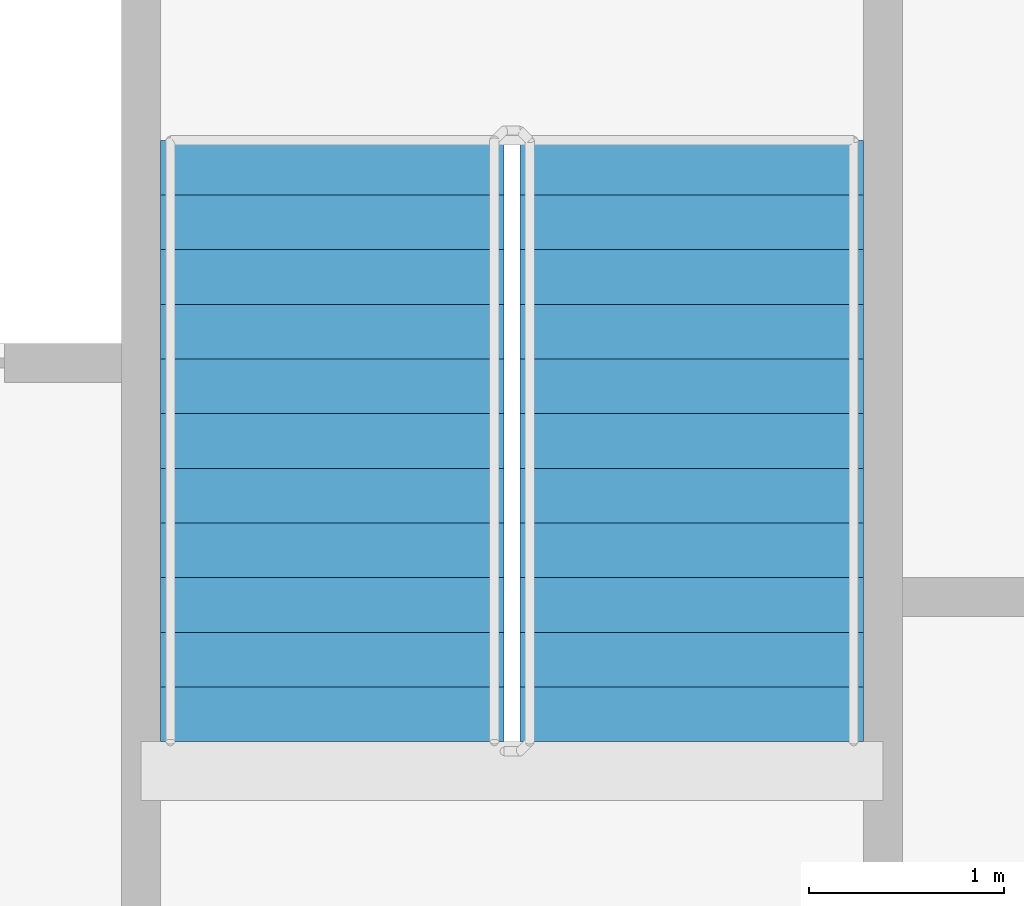
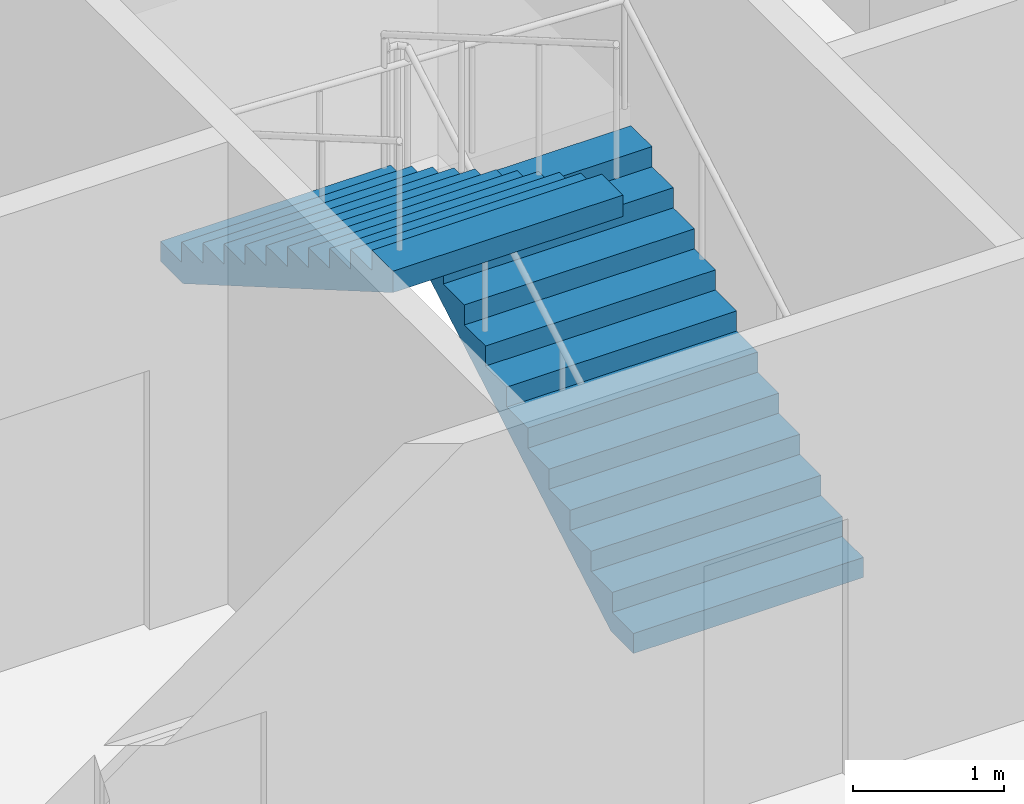
# One storey, part 19 of 24: 2 stair flights, 1 element without a shape of its own.
"""IFC4 building model written with IfcOpenShell, lengths in metres."""

from ifc_helpers import new_model, si_unit, direction, frame, origin, place, context, subcontext, project, spatial, faceted_brep, material, type_object, element, aggregate, save


model = new_model("IFC4")

# Units and contexts
model_context = context("Model", 3, precision=1e-05, world=origin(), true_north=direction((0.0, 1.0)))
body_context = subcontext(model_context, "Body", "Model", "MODEL_VIEW")
ifc_project = project(units=[si_unit("LENGTHUNIT", "METRE"), si_unit("AREAUNIT", "SQUARE_METRE"), si_unit("VOLUMEUNIT", "CUBIC_METRE"), si_unit("PLANEANGLEUNIT", "RADIAN"), si_unit("MASSUNIT", "GRAM", prefix="KILO")], contexts=[model_context])

# Site, building, storey
site_placement = place(None, origin())
site = spatial("IfcSite", under=ifc_project, at=site_placement, CompositionType="ELEMENT")
building_placement = place(site_placement, origin())
building = spatial("IfcBuilding", under=site, at=building_placement, Name="Tarsis Ring Headquarters", CompositionType="ELEMENT")
storey_placement = place(building_placement, frame((0.0, 0.0, 216.0)))
storey = spatial("IfcBuildingStorey", under=building, at=storey_placement, Name="L50", CompositionType="ELEMENT", Elevation=216.0)

# Stair, stair flights
ifc_material_1 = material(Name="Core stair 1760")
stair_type = type_object("IfcStairType", Name="Core stair 1760", PredefinedType="HALF_TURN_STAIR", material=ifc_material_1)
stair_placement = place(storey_placement, origin())
stair = element("IfcStair", 1, at=stair_placement, inside=storey, type_object=stair_type, Name="L50 Exit stair B", PredefinedType="HALF_TURN_STAIR")
ifc_material_2 = material(Name="Concrete C40/50", Category="concrete")
stair_flight_type = type_object("IfcStairFlightType", Name="Core stair flight 1760", PredefinedType="STRAIGHT", material=ifc_material_2)
stair_flight_1_placement = place(storey_placement, frame((5.419921875, 3.659912109375, 0.0), z_axis=(0.0, 0.0, 1.0), x_axis=(0.0, 1.0, 0.0)))
stair_flight_1 = element("IfcStairFlight", 2, at=stair_flight_1_placement, type_object=stair_flight_type, Name="Stair ST2 flight 1", NumberOfRisers=12, NumberOfTreads=11, PredefinedType="STRAIGHT", RiserHeight=0.1625, TreadLength=0.28, context=body_context, shape_type="Brep", body=[
    faceted_brep([(0.0, 0.8798828125, 0.0), (0.0, 0.8798828125, 0.16259765625), (0.280029296875, 0.8798828125, 0.16259765625), (0.280029296875, 0.8798828125, 0.324951171875), (0.56005859375, 0.8798828125, 0.324951171875), (0.56005859375, 0.8798828125, 0.487548828125), (0.840087890625, 0.8798828125, 0.487548828125), (0.840087890625, 0.8798828125, 0.64990234375), (1.1201171875, 0.8798828125, 0.64990234375), (1.1201171875, 0.8798828125, 0.8125), (1.39990234375, 0.8798828125, 0.8125), (1.39990234375, 0.8798828125, 0.97509765625), (1.679931640625, 0.8798828125, 0.97509765625), (1.679931640625, 0.8798828125, 1.137451171875), (1.9599609375, 0.8798828125, 1.137451171875), (1.9599609375, 0.8798828125, 1.300048828125), (2.239990234375, 0.8798828125, 1.300048828125), (2.239990234375, 0.8798828125, 1.46240234375), (2.52001953125, 0.8798828125, 1.46240234375), (2.52001953125, 0.8798828125, 1.625), (2.800048828125, 0.8798828125, 1.625), (2.800048828125, 0.8798828125, 1.78759765625), (3.080078125, 0.8798828125, 1.78759765625), (3.080078125, 0.8798828125, 1.6142578125), (0.298583984375, 0.8798828125, 0.0), (0.298583984375, -0.8798828125, 0.0), (3.080078125, -0.8798828125, 1.6142578125), (3.080078125, -0.8798828125, 1.78759765625), (2.800048828125, -0.8798828125, 1.78759765625), (2.800048828125, -0.8798828125, 1.625), (2.52001953125, -0.8798828125, 1.625), (2.52001953125, -0.8798828125, 1.46240234375), (2.239990234375, -0.8798828125, 1.46240234375), (2.239990234375, -0.8798828125, 1.300048828125), (1.9599609375, -0.8798828125, 1.300048828125), (1.9599609375, -0.8798828125, 1.137451171875), (1.679931640625, -0.8798828125, 1.137451171875), (1.679931640625, -0.8798828125, 0.97509765625), (1.39990234375, -0.8798828125, 0.97509765625), (1.39990234375, -0.8798828125, 0.8125), (1.1201171875, -0.8798828125, 0.8125), (1.1201171875, -0.8798828125, 0.64990234375), (0.840087890625, -0.8798828125, 0.64990234375), (0.840087890625, -0.8798828125, 0.487548828125), (0.56005859375, -0.8798828125, 0.487548828125), (0.56005859375, -0.8798828125, 0.324951171875), (0.280029296875, -0.8798828125, 0.324951171875), (0.280029296875, -0.8798828125, 0.16259765625), (0.0, -0.8798828125, 0.16259765625), (0.0, -0.8798828125, 0.0), (0.0, -0.43994140625, 0.16259765625), (0.0, -0.43994140625, 0.0), (0.0, 0.0, 0.16259765625), (0.0, 0.0, 0.0), (0.0, 0.43994140625, 0.16259765625), (0.0, 0.43994140625, 0.0), (0.280029296875, -0.43994140625, 0.16259765625), (0.280029296875, 0.0, 0.16259765625), (0.280029296875, 0.43994140625, 0.16259765625), (0.280029296875, -0.43994140625, 0.324951171875), (0.280029296875, 0.0, 0.324951171875), (0.280029296875, 0.43994140625, 0.324951171875), (0.56005859375, -0.43994140625, 0.324951171875), (0.56005859375, 0.0, 0.324951171875), (0.56005859375, 0.43994140625, 0.324951171875), (0.56005859375, -0.43994140625, 0.487548828125), (0.56005859375, 0.0, 0.487548828125), (0.56005859375, 0.43994140625, 0.487548828125), (0.840087890625, -0.43994140625, 0.487548828125), (0.840087890625, 0.0, 0.487548828125), (0.840087890625, 0.43994140625, 0.487548828125), (0.840087890625, -0.43994140625, 0.64990234375), (0.840087890625, 0.0, 0.64990234375), (0.840087890625, 0.43994140625, 0.64990234375), (1.1201171875, -0.43994140625, 0.64990234375), (1.1201171875, 0.0, 0.64990234375), (1.1201171875, 0.43994140625, 0.64990234375), (1.1201171875, -0.43994140625, 0.8125), (1.1201171875, 0.0, 0.8125), (1.1201171875, 0.43994140625, 0.8125), (1.39990234375, -0.43994140625, 0.8125), (1.39990234375, 0.0, 0.8125), (1.39990234375, 0.43994140625, 0.8125), (1.39990234375, -0.43994140625, 0.97509765625), (1.39990234375, 0.0, 0.97509765625), (1.39990234375, 0.43994140625, 0.97509765625), (1.679931640625, -0.43994140625, 0.97509765625), (1.679931640625, 0.0, 0.97509765625), (1.679931640625, 0.43994140625, 0.97509765625), (1.679931640625, -0.43994140625, 1.137451171875), (1.679931640625, 0.0, 1.137451171875), (1.679931640625, 0.43994140625, 1.137451171875), (1.9599609375, -0.43994140625, 1.137451171875), (1.9599609375, 0.0, 1.137451171875), (1.9599609375, 0.43994140625, 1.137451171875), (1.9599609375, -0.43994140625, 1.300048828125), (1.9599609375, 0.0, 1.300048828125), (1.9599609375, 0.43994140625, 1.300048828125), (2.239990234375, -0.43994140625, 1.300048828125), (2.239990234375, 0.0, 1.300048828125), (2.239990234375, 0.43994140625, 1.300048828125), (2.239990234375, -0.43994140625, 1.46240234375), (2.239990234375, 0.0, 1.46240234375), (2.239990234375, 0.43994140625, 1.46240234375), (2.52001953125, -0.43994140625, 1.46240234375), (2.52001953125, 0.0, 1.46240234375), (2.52001953125, 0.43994140625, 1.46240234375), (2.52001953125, -0.43994140625, 1.625), (2.52001953125, 0.0, 1.625), (2.52001953125, 0.43994140625, 1.625), (2.800048828125, -0.43994140625, 1.625), (2.800048828125, 0.0, 1.625), (2.800048828125, 0.43994140625, 1.625), (2.800048828125, -0.43994140625, 1.78759765625), (2.800048828125, 0.0, 1.78759765625), (2.800048828125, 0.43994140625, 1.78759765625), (3.080078125, -0.43994140625, 1.78759765625), (3.080078125, 0.0, 1.78759765625), (3.080078125, 0.43994140625, 1.78759765625), (3.080078125, -0.43994140625, 1.6142578125), (3.080078125, 0.0, 1.6142578125), (3.080078125, 0.43994140625, 1.6142578125), (0.298583984375, -0.43994140625, 0.0), (0.298583984375, 0.0, 0.0), (0.298583984375, 0.43994140625, 0.0)], [[[0, 1, 2, 3, 4, 5, 6, 7, 8, 9, 10, 11, 12, 13, 14, 15, 16, 17, 18, 19, 20, 21, 22, 23, 24]], [[25, 26, 27, 28, 29, 30, 31, 32, 33, 34, 35, 36, 37, 38, 39, 40, 41, 42, 43, 44, 45, 46, 47, 48, 49]], [[49, 48, 50, 51]], [[51, 50, 52, 53]], [[53, 52, 54, 55]], [[55, 54, 1, 0]], [[48, 47, 56, 50]], [[50, 56, 57, 52]], [[52, 57, 58, 54]], [[54, 58, 2, 1]], [[47, 46, 59, 56]], [[56, 59, 60, 57]], [[57, 60, 61, 58]], [[58, 61, 3, 2]], [[46, 45, 62, 59]], [[59, 62, 63, 60]], [[60, 63, 64, 61]], [[61, 64, 4, 3]], [[45, 44, 65, 62]], [[62, 65, 66, 63]], [[63, 66, 67, 64]], [[64, 67, 5, 4]], [[44, 43, 68, 65]], [[65, 68, 69, 66]], [[66, 69, 70, 67]], [[67, 70, 6, 5]], [[43, 42, 71, 68]], [[68, 71, 72, 69]], [[69, 72, 73, 70]], [[70, 73, 7, 6]], [[42, 41, 74, 71]], [[71, 74, 75, 72]], [[72, 75, 76, 73]], [[73, 76, 8, 7]], [[41, 40, 77, 74]], [[74, 77, 78, 75]], [[75, 78, 79, 76]], [[76, 79, 9, 8]], [[40, 39, 80, 77]], [[77, 80, 81, 78]], [[78, 81, 82, 79]], [[79, 82, 10, 9]], [[39, 38, 83, 80]], [[80, 83, 84, 81]], [[81, 84, 85, 82]], [[82, 85, 11, 10]], [[38, 37, 86, 83]], [[83, 86, 87, 84]], [[84, 87, 88, 85]], [[85, 88, 12, 11]], [[37, 36, 89, 86]], [[86, 89, 90, 87]], [[87, 90, 91, 88]], [[88, 91, 13, 12]], [[36, 35, 92, 89]], [[89, 92, 93, 90]], [[90, 93, 94, 91]], [[91, 94, 14, 13]], [[35, 34, 95, 92]], [[92, 95, 96, 93]], [[93, 96, 97, 94]], [[94, 97, 15, 14]], [[34, 33, 98, 95]], [[95, 98, 99, 96]], [[96, 99, 100, 97]], [[97, 100, 16, 15]], [[33, 32, 101, 98]], [[98, 101, 102, 99]], [[99, 102, 103, 100]], [[100, 103, 17, 16]], [[32, 31, 104, 101]], [[101, 104, 105, 102]], [[102, 105, 106, 103]], [[103, 106, 18, 17]], [[31, 30, 107, 104]], [[104, 107, 108, 105]], [[105, 108, 109, 106]], [[106, 109, 19, 18]], [[30, 29, 110, 107]], [[107, 110, 111, 108]], [[108, 111, 112, 109]], [[109, 112, 20, 19]], [[29, 28, 113, 110]], [[110, 113, 114, 111]], [[111, 114, 115, 112]], [[112, 115, 21, 20]], [[28, 27, 116, 113]], [[113, 116, 117, 114]], [[114, 117, 118, 115]], [[115, 118, 22, 21]], [[27, 26, 119, 116]], [[116, 119, 120, 117]], [[117, 120, 121, 118]], [[118, 121, 23, 22]], [[26, 25, 122, 119]], [[119, 122, 123, 120]], [[120, 123, 124, 121]], [[121, 124, 24, 23]], [[25, 49, 51, 122]], [[122, 51, 53, 123]], [[123, 53, 55, 124]], [[124, 55, 0, 24]]]),
])
stair_flight_2_placement = place(storey_placement, frame((3.580078125, 6.739990234375, 1.949951171875), z_axis=(0.0, 0.0, 1.0), x_axis=(0.0, -1.0, 0.0)))
stair_flight_2 = element("IfcStairFlight", 3, at=stair_flight_2_placement, type_object=stair_flight_type, Name="Stair ST2 flight 2", NumberOfRisers=12, NumberOfTreads=11, PredefinedType="STRAIGHT", RiserHeight=0.1625, TreadLength=0.28, context=body_context, shape_type="Brep", body=[
    faceted_brep([(0.0, 0.8798828125, 0.0), (0.0, 0.8798828125, 0.16259765625), (0.280029296875, 0.8798828125, 0.16259765625), (0.280029296875, 0.8798828125, 0.324951171875), (0.56005859375, 0.8798828125, 0.324951171875), (0.56005859375, 0.8798828125, 0.487548828125), (0.840087890625, 0.8798828125, 0.487548828125), (0.840087890625, 0.8798828125, 0.64990234375), (1.1201171875, 0.8798828125, 0.64990234375), (1.1201171875, 0.8798828125, 0.8125), (1.39990234375, 0.8798828125, 0.8125), (1.39990234375, 0.8798828125, 0.97509765625), (1.679931640625, 0.8798828125, 0.97509765625), (1.679931640625, 0.8798828125, 1.137451171875), (1.9599609375, 0.8798828125, 1.137451171875), (1.9599609375, 0.8798828125, 1.300048828125), (2.239990234375, 0.8798828125, 1.300048828125), (2.239990234375, 0.8798828125, 1.46240234375), (2.52001953125, 0.8798828125, 1.46240234375), (2.52001953125, 0.8798828125, 1.625), (2.800048828125, 0.8798828125, 1.625), (2.800048828125, 0.8798828125, 1.78759765625), (3.080078125, 0.8798828125, 1.78759765625), (3.080078125, 0.8798828125, 1.6142578125), (0.298583984375, 0.8798828125, 0.0), (0.298583984375, -0.8798828125, 0.0), (3.080078125, -0.8798828125, 1.6142578125), (3.080078125, -0.8798828125, 1.78759765625), (2.800048828125, -0.8798828125, 1.78759765625), (2.800048828125, -0.8798828125, 1.625), (2.52001953125, -0.8798828125, 1.625), (2.52001953125, -0.8798828125, 1.46240234375), (2.239990234375, -0.8798828125, 1.46240234375), (2.239990234375, -0.8798828125, 1.300048828125), (1.9599609375, -0.8798828125, 1.300048828125), (1.9599609375, -0.8798828125, 1.137451171875), (1.679931640625, -0.8798828125, 1.137451171875), (1.679931640625, -0.8798828125, 0.97509765625), (1.39990234375, -0.8798828125, 0.97509765625), (1.39990234375, -0.8798828125, 0.8125), (1.1201171875, -0.8798828125, 0.8125), (1.1201171875, -0.8798828125, 0.64990234375), (0.840087890625, -0.8798828125, 0.64990234375), (0.840087890625, -0.8798828125, 0.487548828125), (0.56005859375, -0.8798828125, 0.487548828125), (0.56005859375, -0.8798828125, 0.324951171875), (0.280029296875, -0.8798828125, 0.324951171875), (0.280029296875, -0.8798828125, 0.16259765625), (0.0, -0.8798828125, 0.16259765625), (0.0, -0.8798828125, 0.0), (0.0, -0.43994140625, 0.16259765625), (0.0, -0.43994140625, 0.0), (0.0, 0.0, 0.16259765625), (0.0, 0.0, 0.0), (0.0, 0.43994140625, 0.16259765625), (0.0, 0.43994140625, 0.0), (0.280029296875, -0.43994140625, 0.16259765625), (0.280029296875, 0.0, 0.16259765625), (0.280029296875, 0.43994140625, 0.16259765625), (0.280029296875, -0.43994140625, 0.324951171875), (0.280029296875, 0.0, 0.324951171875), (0.280029296875, 0.43994140625, 0.324951171875), (0.56005859375, -0.43994140625, 0.324951171875), (0.56005859375, 0.0, 0.324951171875), (0.56005859375, 0.43994140625, 0.324951171875), (0.56005859375, -0.43994140625, 0.487548828125), (0.56005859375, 0.0, 0.487548828125), (0.56005859375, 0.43994140625, 0.487548828125), (0.840087890625, -0.43994140625, 0.487548828125), (0.840087890625, 0.0, 0.487548828125), (0.840087890625, 0.43994140625, 0.487548828125), (0.840087890625, -0.43994140625, 0.64990234375), (0.840087890625, 0.0, 0.64990234375), (0.840087890625, 0.43994140625, 0.64990234375), (1.1201171875, -0.43994140625, 0.64990234375), (1.1201171875, 0.0, 0.64990234375), (1.1201171875, 0.43994140625, 0.64990234375), (1.1201171875, -0.43994140625, 0.8125), (1.1201171875, 0.0, 0.8125), (1.1201171875, 0.43994140625, 0.8125), (1.39990234375, -0.43994140625, 0.8125), (1.39990234375, 0.0, 0.8125), (1.39990234375, 0.43994140625, 0.8125), (1.39990234375, -0.43994140625, 0.97509765625), (1.39990234375, 0.0, 0.97509765625), (1.39990234375, 0.43994140625, 0.97509765625), (1.679931640625, -0.43994140625, 0.97509765625), (1.679931640625, 0.0, 0.97509765625), (1.679931640625, 0.43994140625, 0.97509765625), (1.679931640625, -0.43994140625, 1.137451171875), (1.679931640625, 0.0, 1.137451171875), (1.679931640625, 0.43994140625, 1.137451171875), (1.9599609375, -0.43994140625, 1.137451171875), (1.9599609375, 0.0, 1.137451171875), (1.9599609375, 0.43994140625, 1.137451171875), (1.9599609375, -0.43994140625, 1.300048828125), (1.9599609375, 0.0, 1.300048828125), (1.9599609375, 0.43994140625, 1.300048828125), (2.239990234375, -0.43994140625, 1.300048828125), (2.239990234375, 0.0, 1.300048828125), (2.239990234375, 0.43994140625, 1.300048828125), (2.239990234375, -0.43994140625, 1.46240234375), (2.239990234375, 0.0, 1.46240234375), (2.239990234375, 0.43994140625, 1.46240234375), (2.52001953125, -0.43994140625, 1.46240234375), (2.52001953125, 0.0, 1.46240234375), (2.52001953125, 0.43994140625, 1.46240234375), (2.52001953125, -0.43994140625, 1.625), (2.52001953125, 0.0, 1.625), (2.52001953125, 0.43994140625, 1.625), (2.800048828125, -0.43994140625, 1.625), (2.800048828125, 0.0, 1.625), (2.800048828125, 0.43994140625, 1.625), (2.800048828125, -0.43994140625, 1.78759765625), (2.800048828125, 0.0, 1.78759765625), (2.800048828125, 0.43994140625, 1.78759765625), (3.080078125, -0.43994140625, 1.78759765625), (3.080078125, 0.0, 1.78759765625), (3.080078125, 0.43994140625, 1.78759765625), (3.080078125, -0.43994140625, 1.6142578125), (3.080078125, 0.0, 1.6142578125), (3.080078125, 0.43994140625, 1.6142578125), (0.298583984375, -0.43994140625, 0.0), (0.298583984375, 0.0, 0.0), (0.298583984375, 0.43994140625, 0.0)], [[[0, 1, 2, 3, 4, 5, 6, 7, 8, 9, 10, 11, 12, 13, 14, 15, 16, 17, 18, 19, 20, 21, 22, 23, 24]], [[25, 26, 27, 28, 29, 30, 31, 32, 33, 34, 35, 36, 37, 38, 39, 40, 41, 42, 43, 44, 45, 46, 47, 48, 49]], [[49, 48, 50, 51]], [[51, 50, 52, 53]], [[53, 52, 54, 55]], [[55, 54, 1, 0]], [[48, 47, 56, 50]], [[50, 56, 57, 52]], [[52, 57, 58, 54]], [[54, 58, 2, 1]], [[47, 46, 59, 56]], [[56, 59, 60, 57]], [[57, 60, 61, 58]], [[58, 61, 3, 2]], [[46, 45, 62, 59]], [[59, 62, 63, 60]], [[60, 63, 64, 61]], [[61, 64, 4, 3]], [[45, 44, 65, 62]], [[62, 65, 66, 63]], [[63, 66, 67, 64]], [[64, 67, 5, 4]], [[44, 43, 68, 65]], [[65, 68, 69, 66]], [[66, 69, 70, 67]], [[67, 70, 6, 5]], [[43, 42, 71, 68]], [[68, 71, 72, 69]], [[69, 72, 73, 70]], [[70, 73, 7, 6]], [[42, 41, 74, 71]], [[71, 74, 75, 72]], [[72, 75, 76, 73]], [[73, 76, 8, 7]], [[41, 40, 77, 74]], [[74, 77, 78, 75]], [[75, 78, 79, 76]], [[76, 79, 9, 8]], [[40, 39, 80, 77]], [[77, 80, 81, 78]], [[78, 81, 82, 79]], [[79, 82, 10, 9]], [[39, 38, 83, 80]], [[80, 83, 84, 81]], [[81, 84, 85, 82]], [[82, 85, 11, 10]], [[38, 37, 86, 83]], [[83, 86, 87, 84]], [[84, 87, 88, 85]], [[85, 88, 12, 11]], [[37, 36, 89, 86]], [[86, 89, 90, 87]], [[87, 90, 91, 88]], [[88, 91, 13, 12]], [[36, 35, 92, 89]], [[89, 92, 93, 90]], [[90, 93, 94, 91]], [[91, 94, 14, 13]], [[35, 34, 95, 92]], [[92, 95, 96, 93]], [[93, 96, 97, 94]], [[94, 97, 15, 14]], [[34, 33, 98, 95]], [[95, 98, 99, 96]], [[96, 99, 100, 97]], [[97, 100, 16, 15]], [[33, 32, 101, 98]], [[98, 101, 102, 99]], [[99, 102, 103, 100]], [[100, 103, 17, 16]], [[32, 31, 104, 101]], [[101, 104, 105, 102]], [[102, 105, 106, 103]], [[103, 106, 18, 17]], [[31, 30, 107, 104]], [[104, 107, 108, 105]], [[105, 108, 109, 106]], [[106, 109, 19, 18]], [[30, 29, 110, 107]], [[107, 110, 111, 108]], [[108, 111, 112, 109]], [[109, 112, 20, 19]], [[29, 28, 113, 110]], [[110, 113, 114, 111]], [[111, 114, 115, 112]], [[112, 115, 21, 20]], [[28, 27, 116, 113]], [[113, 116, 117, 114]], [[114, 117, 118, 115]], [[115, 118, 22, 21]], [[27, 26, 119, 116]], [[116, 119, 120, 117]], [[117, 120, 121, 118]], [[118, 121, 23, 22]], [[26, 25, 122, 119]], [[119, 122, 123, 120]], [[120, 123, 124, 121]], [[121, 124, 24, 23]], [[25, 49, 51, 122]], [[122, 51, 53, 123]], [[123, 53, 55, 124]], [[124, 55, 0, 24]]]),
])
aggregate(stair, [stair_flight_1, stair_flight_2])

save(model, "model.ifc")
